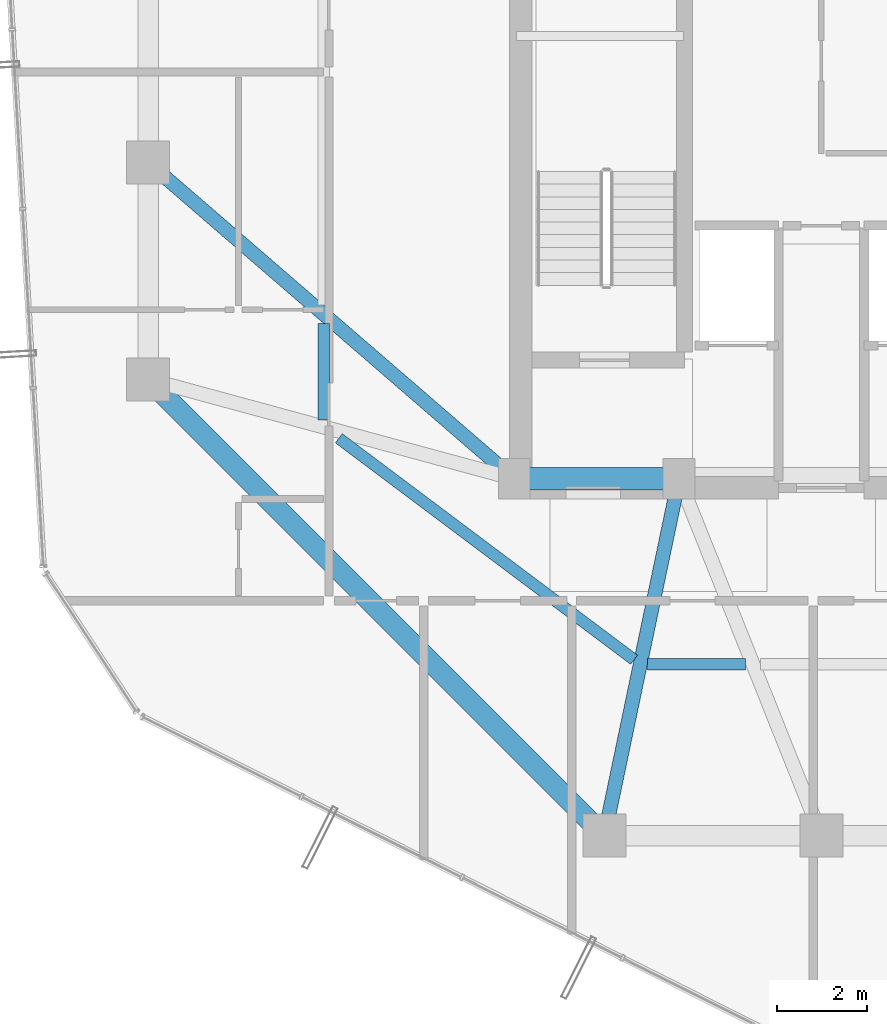
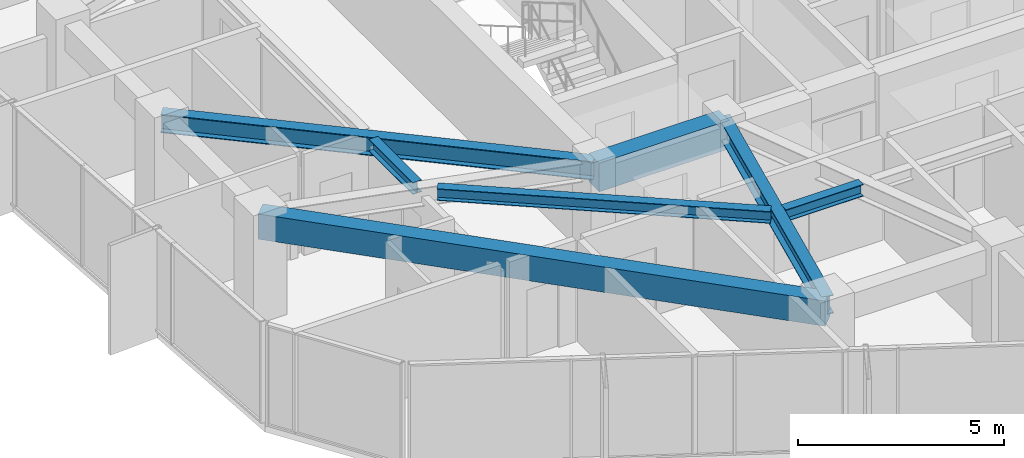
# One storey, part 6 of 33: 7 beams.
"""IFC4 building model written with IfcOpenShell, lengths in metres."""

from ifc_helpers import new_model, si_unit, direction, frame, origin, origin_2d, place, context, subcontext, project, spatial, rectangle, i_section, extrude, material, material_profile, profile_set, type_object, element, save


model = new_model("IFC4")

# Units and contexts
model_context = context("Model", 3, precision=1e-05, world=origin(), true_north=direction((0.0, 1.0)))
body_context = subcontext(model_context, "Body", "Model", "MODEL_VIEW")
ifc_project = project(units=[si_unit("LENGTHUNIT", "METRE"), si_unit("AREAUNIT", "SQUARE_METRE"), si_unit("VOLUMEUNIT", "CUBIC_METRE"), si_unit("PLANEANGLEUNIT", "RADIAN"), si_unit("MASSUNIT", "GRAM", prefix="KILO")], contexts=[model_context])

# Site, building, storey
site_placement = place(None, origin())
site = spatial("IfcSite", under=ifc_project, at=site_placement, CompositionType="ELEMENT")
building_placement = place(site_placement, origin())
building = spatial("IfcBuilding", under=site, at=building_placement, Name="Veraguas Prism Commons", CompositionType="ELEMENT")
storey_placement = place(building_placement, frame((0.0, 0.0, 195.10009765625)))
storey = spatial("IfcBuildingStorey", under=building, at=storey_placement, Name="L55", CompositionType="ELEMENT", Elevation=195.10009765625)

# Beams
ifc_material_1 = material(Name="Concrete C50/60", Category="concrete")
ifc_material_profile_1 = material_profile(ifc_material_1, rectangle(XDim=0.5, YDim=0.85009765625, at=origin_2d()), Name="RC500X850")
ifc_profile_set_1 = profile_set([ifc_material_profile_1], Name="Concrete C50/60")
beam_type_1 = type_object("IfcBeamType", Name="Core Coupling Beam RC 500x850", PredefinedType="BEAM", material=ifc_profile_set_1)
beam_1_placement = place(storey_placement, frame((17.199951171875, 17.0, 2.58984375), z_axis=(1.0, 0.0, 0.0), x_axis=(0.0, 1.0, 0.0)))
element("IfcBeam", 1, at=beam_1_placement, inside=storey, type_object=beam_type_1, Name="Core Coupling Beam L55-CRS1", PredefinedType="BEAM", context=body_context, shape_type="SweptSolid", body=[
    extrude(rectangle(XDim=0.5, YDim=0.85009765625, at=origin_2d()), origin(), (0.0, 0.0, 1.0), 3.650146484375),
])
ifc_material_profile_2 = material_profile(ifc_material_1, rectangle(XDim=0.449951171875, YDim=0.75, at=origin_2d()), Name="RC450X750")
ifc_profile_set_2 = profile_set([ifc_material_profile_2], Name="Concrete C50/60")
beam_type_2 = type_object("IfcBeamType", Name="Perimeter Spandrel Upper RC 450x750", PredefinedType="SPANDREL", material=ifc_profile_set_2)
beam_2_placement = place(storey_placement, frame((9.10009765625, 19.199951171875, 2.639892578125), z_axis=(0.707106781187, -0.707106781187, 0.0), x_axis=(0.707106781187, 0.707106781187, 0.0)))
element("IfcBeam", 2, at=beam_2_placement, inside=storey, type_object=beam_type_2, Name="Perimeter Spandrel Beam L55-SP09", PredefinedType="SPANDREL", context=body_context, shape_type="SweptSolid", body=[
    extrude(rectangle(XDim=0.449951171875, YDim=0.75, at=origin_2d()), origin(), (0.0, 0.0, 1.0), 14.283447265625),
])
ifc_material_2 = material(Name="Steel ASTM A992 Grade 50", Category="steel")
ifc_material_profile_3 = material_profile(ifc_material_2, i_section(OverallWidth=0.25390625, OverallDepth=0.35302734375, WebThickness=0.009521484375, FlangeThickness=0.016357421875, at=origin_2d()), Name="W360X91")
ifc_profile_set_3 = profile_set([ifc_material_profile_3], Name="Steel ASTM A992 Grade 50")
beam_type_3 = type_object("IfcBeamType", Name="Upper Floor Joist W360x91", PredefinedType="JOIST", material=ifc_profile_set_3)
beam_3_placement = place(storey_placement, frame((12.988037109375, 20.43701171875, 2.83837890625), z_axis=(0.0, -1.0, 0.0), x_axis=(1.0, 0.0, 0.0)))
element("IfcBeam", 3, at=beam_3_placement, inside=storey, type_object=beam_type_3, Name="Composite Floor Joist L55-JS08", PredefinedType="JOIST", context=body_context, shape_type="SweptSolid", body=[
    extrude(i_section(OverallWidth=0.25390625, OverallDepth=0.35302734375, WebThickness=0.009521484375, FlangeThickness=0.016357421875, at=origin_2d()), origin(), (0.0, 0.0, 1.0), 2.134033203125),
])
beam_4_placement = place(storey_placement, frame((13.320556640625, 17.89453125, 2.83837890625), z_axis=(0.800060962004, -0.599918708724, 0.0), x_axis=(0.599918708724, 0.800060962004, 0.0)))
element("IfcBeam", 4, at=beam_4_placement, inside=storey, type_object=beam_type_3, Name="Composite Floor Joist L55-JS09", PredefinedType="JOIST", context=body_context, shape_type="SweptSolid", body=[
    extrude(i_section(OverallWidth=0.25390625, OverallDepth=0.35302734375, WebThickness=0.009521484375, FlangeThickness=0.016357421875, at=origin_2d()), origin(), (0.0, 0.0, 1.0), 8.169189453125),
])
beam_5_placement = place(storey_placement, frame((20.148681640625, 12.89208984375, 2.83837890625), z_axis=(1.0, 0.0, 0.0), x_axis=(0.0, 1.0, 0.0)))
element("IfcBeam", 5, at=beam_5_placement, inside=storey, type_object=beam_type_3, Name="Composite Floor Joist L55-JS10", PredefinedType="JOIST", context=body_context, shape_type="SweptSolid", body=[
    extrude(i_section(OverallWidth=0.25390625, OverallDepth=0.35302734375, WebThickness=0.009521484375, FlangeThickness=0.016357421875, at=origin_2d()), origin(), (0.0, 0.0, 1.0), 2.174072265625),
])
ifc_material_profile_4 = material_profile(ifc_material_2, i_section(OverallWidth=0.31103515625, OverallDepth=0.5458984375, WebThickness=0.0146484375, FlangeThickness=0.023681640625, at=origin_2d()), Name="W530X165")
ifc_profile_set_4 = profile_set([ifc_material_profile_4], Name="Steel ASTM A992 Grade 50")
beam_type_4 = type_object("IfcBeamType", Name="Zone 3 Radial Girder W530x165", PredefinedType="BEAM", material=ifc_profile_set_4)
beam_6_placement = place(storey_placement, frame((9.10009765625, 24.0, 2.741943359375), z_axis=(0.756607086554, -0.653869800936, 0.0), x_axis=(0.653869800936, 0.756607086554, 0.0)))
element("IfcBeam", 6, at=beam_6_placement, inside=storey, type_object=beam_type_4, Name="Radial Floor Girder L55-RD08", PredefinedType="BEAM", context=body_context, shape_type="SweptSolid", body=[
    extrude(i_section(OverallWidth=0.31103515625, OverallDepth=0.5458984375, WebThickness=0.0146484375, FlangeThickness=0.023681640625, at=origin_2d()), origin(), (0.0, 0.0, 1.0), 10.70556640625),
])
beam_7_placement = place(storey_placement, frame((19.199951171875, 9.10009765625, 2.741943359375), z_axis=(0.204468851168, 0.978873070884, 0.0), x_axis=(-0.978873070884, 0.204468851168, 0.0)))
element("IfcBeam", 7, at=beam_7_placement, inside=storey, type_object=beam_type_4, Name="Radial Floor Girder L55-RD10", PredefinedType="BEAM", context=body_context, shape_type="SweptSolid", body=[
    extrude(i_section(OverallWidth=0.31103515625, OverallDepth=0.5458984375, WebThickness=0.0146484375, FlangeThickness=0.023681640625, at=origin_2d()), origin(), (0.0, 0.0, 1.0), 8.0703125),
])

save(model, "model.ifc")
